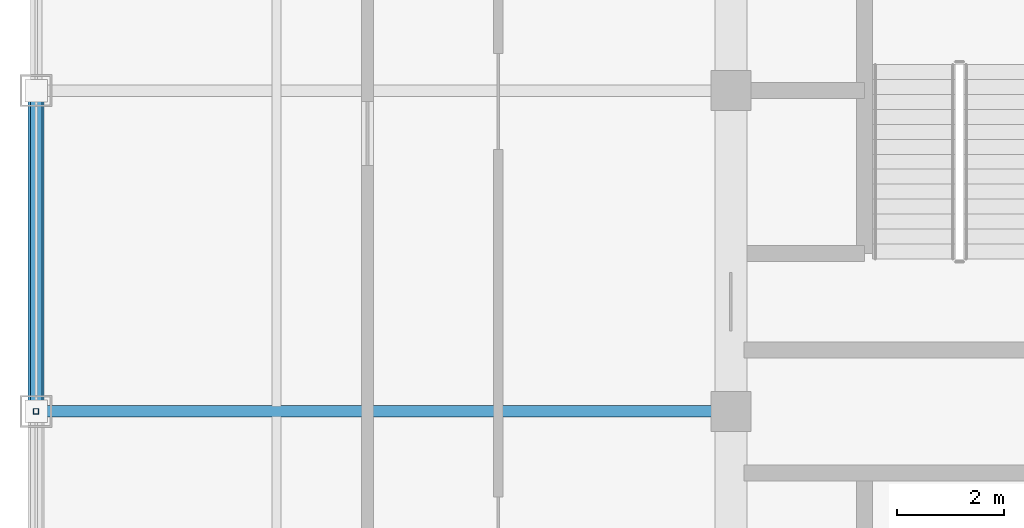
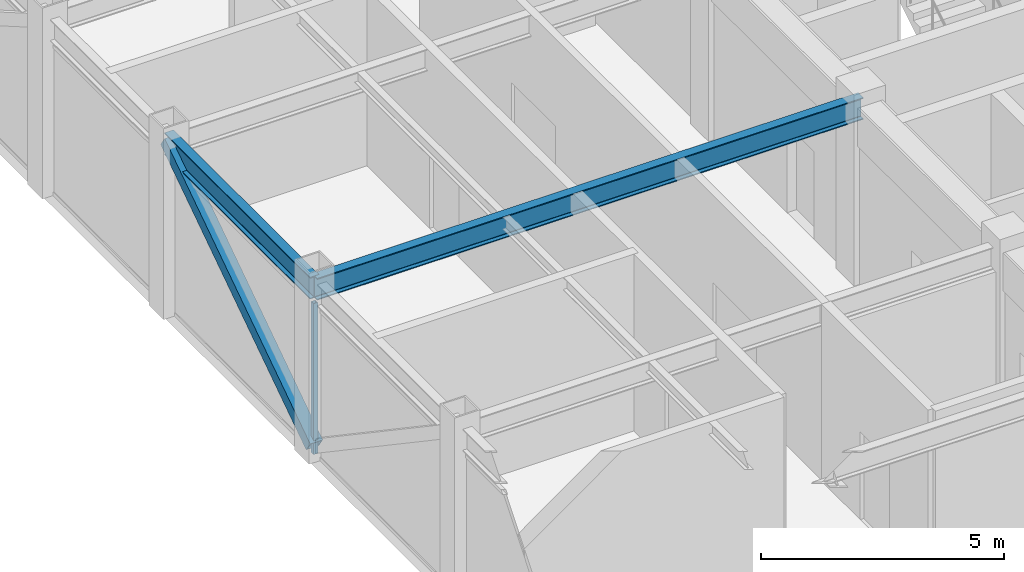
# One storey, part 6 of 27: 2 beams, 2 members, 1 element without a shape of its own.
"""IFC4 building model written with IfcOpenShell, lengths in metres."""

from ifc_helpers import new_model, si_unit, direction, frame, origin, origin_2d, place, context, subcontext, project, spatial, hollow_rectangle, i_section, extrude, source, transform, mapped, material, material_profile, profile_set, type_object, element, aggregate, save


model = new_model("IFC4")

# Units and contexts
model_context = context("Model", 3, precision=1e-05, world=origin(), true_north=direction((0.0, 1.0)))
body_context = subcontext(model_context, "Body", "Model", "MODEL_VIEW")
ifc_project = project(units=[si_unit("LENGTHUNIT", "METRE"), si_unit("AREAUNIT", "SQUARE_METRE"), si_unit("VOLUMEUNIT", "CUBIC_METRE"), si_unit("PLANEANGLEUNIT", "RADIAN"), si_unit("MASSUNIT", "GRAM", prefix="KILO")], contexts=[model_context])

# Site, building, storey
site_placement = place(None, origin())
site = spatial("IfcSite", under=ifc_project, at=site_placement, CompositionType="ELEMENT")
building_placement = place(site_placement, origin())
building = spatial("IfcBuilding", under=site, at=building_placement, Name="Khorayat Bourse Tower", CompositionType="ELEMENT")
storey_placement = place(building_placement, frame((0.0, 0.0, 389.89990234375)))
storey = spatial("IfcBuildingStorey", under=building, at=storey_placement, Name="L92", CompositionType="ELEMENT", Elevation=389.89990234375)

# Beams
ifc_material_1 = material(Name="Steel ASTM A992 Grade 50", Category="steel")
ifc_material_profile_1 = material_profile(ifc_material_1, i_section(OverallWidth=0.214111328125, OverallDepth=0.549072265625, WebThickness=0.0146484375, FlangeThickness=0.023681640625, FilletRadius=0.013916015625, at=origin_2d()), Name="W530X138")
ifc_profile_set_1 = profile_set([ifc_material_profile_1], Name="Steel ASTM A992 Grade 50")
beam_type_1 = type_object("IfcBeamType", Name="BM-SPAN-530", PredefinedType="SPANDREL", material=ifc_profile_set_1)
shared_shape_1 = source(origin(), body_context, "Body", "SweptSolid", [
    extrude(i_section(OverallWidth=0.214111328125, OverallDepth=0.549072265625, WebThickness=0.0146484375, FlangeThickness=0.023681640625, FilletRadius=0.013916015625, at=origin_2d()), origin(), (0.0, 0.0, 1.0), 6.0),
])
beam_1_placement = place(storey_placement, frame((-24.0, 0.0, 4.175537109375), z_axis=(0.0, 1.0, 0.0), x_axis=(-1.0, 0.0, 0.0)))
element("IfcBeam", 1, at=beam_1_placement, inside=storey, type_object=beam_type_1, Name="L92 BM-SPAN-530 BM-L92-SPN-050", PredefinedType="SPANDREL", context=body_context, shape_type="MappedRepresentation", body=[
    mapped(shared_shape_1, transform((0.0, 0.0, 0.0), scale=1.0)),
])
ifc_material_profile_2 = material_profile(ifc_material_1, i_section(OverallWidth=0.214111328125, OverallDepth=0.549072265625, WebThickness=0.0146484375, FlangeThickness=0.023681640625, FilletRadius=0.013916015625, at=origin_2d()), Name="W530X138")
ifc_profile_set_2 = profile_set([ifc_material_profile_2], Name="Steel ASTM A992 Grade 50")
beam_type_2 = type_object("IfcBeamType", Name="BM-GIRD-530", PredefinedType="BEAM", material=ifc_profile_set_2)
shared_shape_2 = source(origin(), body_context, "Body", "SweptSolid", [
    extrude(i_section(OverallWidth=0.214111328125, OverallDepth=0.549072265625, WebThickness=0.0146484375, FlangeThickness=0.023681640625, FilletRadius=0.013916015625, at=origin_2d()), origin(), (0.0, 0.0, 1.0), 13.0),
])
beam_2_placement = place(storey_placement, frame((-24.0, 0.0, 4.175537109375), z_axis=(1.0, 0.0, 0.0), x_axis=(0.0, 1.0, 0.0)))
element("IfcBeam", 2, at=beam_2_placement, inside=storey, type_object=beam_type_2, Name="L92 BM-GIRD-530 BM-L92-RADX-071", PredefinedType="BEAM", context=body_context, shape_type="MappedRepresentation", body=[
    mapped(shared_shape_2, transform((0.0, 0.0, 0.0), scale=1.0)),
])

# Member
ifc_material_2 = material(Name="Steel EN 10025-2 S355J2", Category="steel")
ifc_material_profile_3 = material_profile(ifc_material_2, hollow_rectangle(XDim=0.300048828125, YDim=0.300048828125, WallThickness=0.01611328125, at=origin_2d()), Name="HSS 300x300x16")
ifc_profile_set_3 = profile_set([ifc_material_profile_3], Name="Steel EN 10025-2 S355J2")
member_type_1 = type_object("IfcMemberType", Name="MBR-CROWN-300", PredefinedType="USERDEFINED", material=ifc_profile_set_3)
shared_shape_3 = source(origin(), body_context, "Body", "SweptSolid", [
    extrude(hollow_rectangle(XDim=0.300048828125, YDim=0.300048828125, WallThickness=0.01611328125, at=origin_2d()), origin(), (0.0, 0.0, 1.0), 7.23876953125),
])
member_1_placement = place(storey_placement, frame((-24.0, 0.0, 0.2001953125), z_axis=(0.0, 0.828861185526, 0.559454319072), x_axis=(-1.0, 0.0, 0.0)))
element("IfcMember", 3, at=member_1_placement, inside=storey, type_object=member_type_1, Name="L92 Lantern Crown Frame Member 11", ObjectType="CROWN FRAME", PredefinedType="USERDEFINED", context=body_context, shape_type="MappedRepresentation", body=[
    mapped(shared_shape_3, transform((0.0, 0.0, 0.0), scale=1.0)),
])

# Curtain wall, member
ifc_material_3 = material(Name="Aluminium EN AW-6063 T6", Category="aluminium")
curtain_wall_type = type_object("IfcCurtainWallType", Name="CW-SYS-07", PredefinedType="NOTDEFINED", material=ifc_material_3)
curtain_wall_placement = place(storey_placement, origin())
curtain_wall = element("IfcCurtainWall", 4, at=curtain_wall_placement, inside=storey, type_object=curtain_wall_type, Name="L92 Curtain Wall CW-L92-W1", PredefinedType="NOTDEFINED")
ifc_material_profile_4 = material_profile(ifc_material_3, hollow_rectangle(XDim=0.10009765625, YDim=0.10009765625, WallThickness=0.0048828125, at=origin_2d()), Name="ALU 100x100x5")
ifc_profile_set_4 = profile_set([ifc_material_profile_4], Name="Aluminium EN AW-6063 T6")
member_type_2 = type_object("IfcMemberType", Name="CWM-LANTERN-100", PredefinedType="MULLION", material=ifc_profile_set_4)
shared_shape_4 = source(origin(), body_context, "Body", "SweptSolid", [
    extrude(hollow_rectangle(XDim=0.10009765625, YDim=0.10009765625, WallThickness=0.0048828125, at=origin_2d()), origin(), (0.0, 0.0, 1.0), 3.800048828125),
])
member_2_placement = place(storey_placement, frame((-24.0, 0.0, 0.0), z_axis=(0.0, 0.0, 1.0), x_axis=(-1.0, 0.0, 0.0)))
member_2 = element("IfcMember", 5, at=member_2_placement, type_object=member_type_2, Name="CW-L92-W1 Vertical Mullion 2", PredefinedType="MULLION", context=body_context, shape_type="MappedRepresentation", body=[
    mapped(shared_shape_4, transform((0.0, 0.0, 0.0), scale=1.0)),
])
aggregate(curtain_wall, [member_2])

save(model, "model.ifc")
